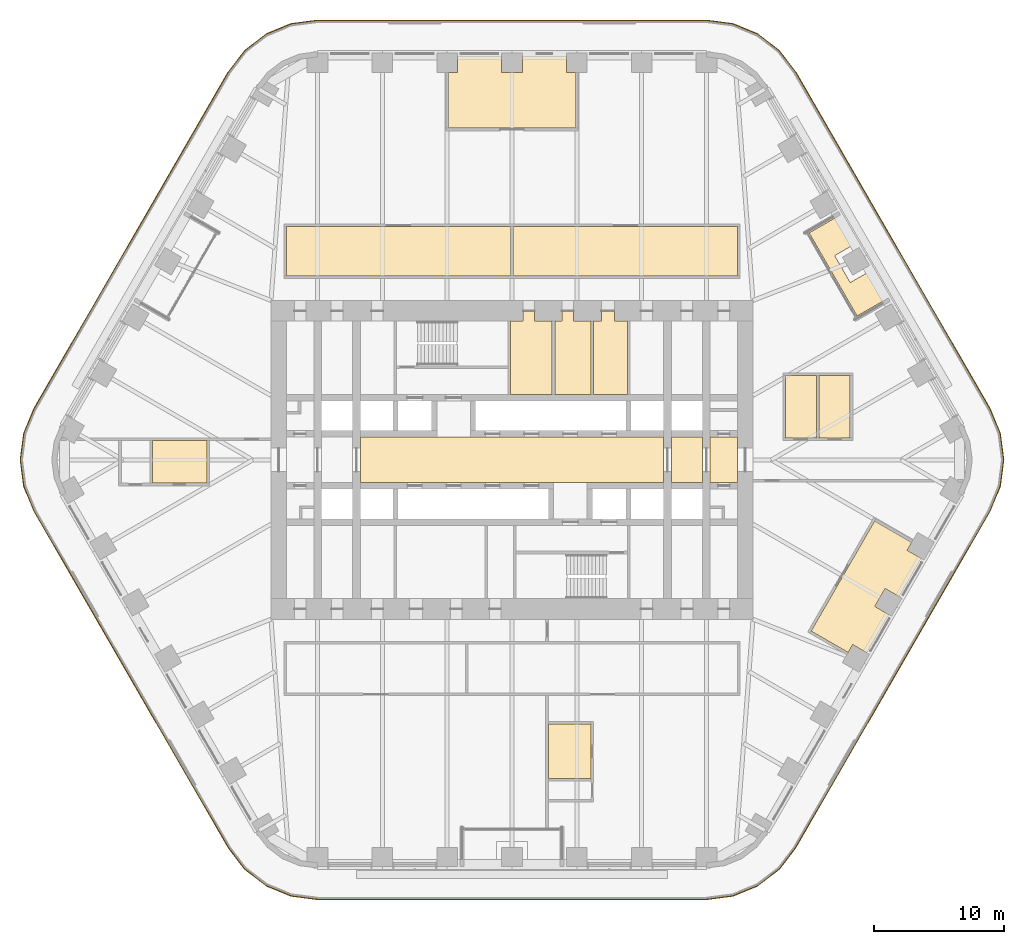
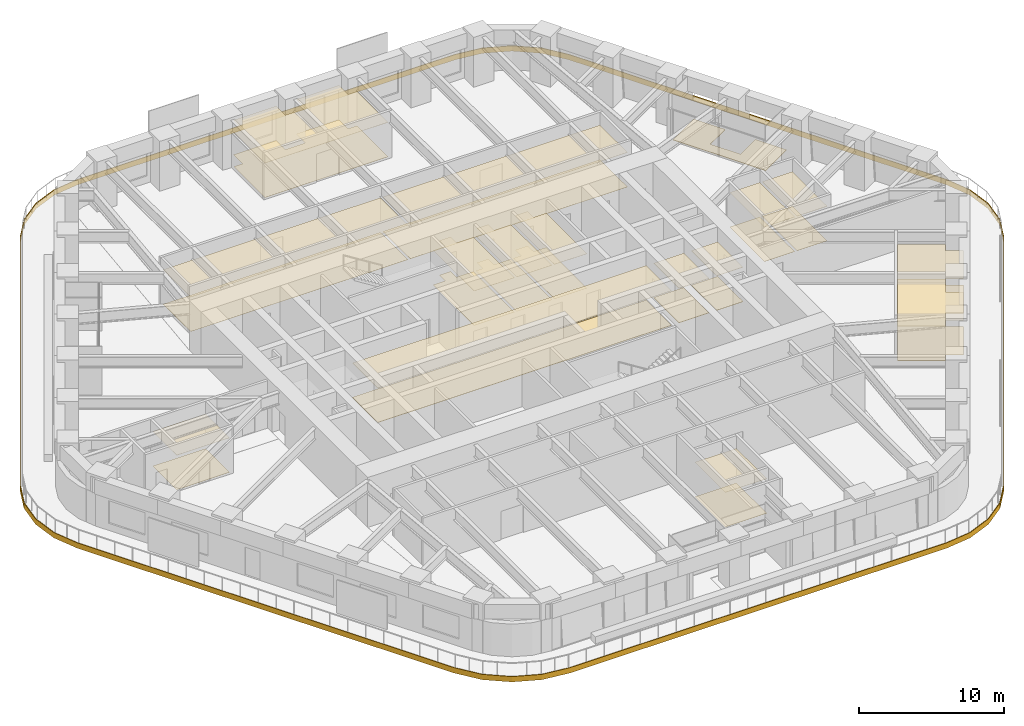
# One storey, part 23 of 24: 16 coverings.
"""IFC4 building model written with IfcOpenShell, lengths in metres."""

from ifc_helpers import new_model, si_unit, direction, frame, origin, place, context, subcontext, project, spatial, polyline, outline, extrude, material, layer, layer_set, type_object, element, save


model = new_model("IFC4")

# Units and contexts
model_context = context("Model", 3, precision=1e-05, world=origin(), true_north=direction((0.0, 1.0)))
body_context = subcontext(model_context, "Body", "Model", "MODEL_VIEW")
ifc_project = project(units=[si_unit("LENGTHUNIT", "METRE"), si_unit("AREAUNIT", "SQUARE_METRE"), si_unit("VOLUMEUNIT", "CUBIC_METRE"), si_unit("PLANEANGLEUNIT", "RADIAN"), si_unit("MASSUNIT", "GRAM", prefix="KILO")], contexts=[model_context])

# Site, building, storey
site_placement = place(None, origin())
site = spatial("IfcSite", under=ifc_project, at=site_placement, CompositionType="ELEMENT")
building_placement = place(site_placement, origin())
building = spatial("IfcBuilding", under=site, at=building_placement, Name="Tarfa Lantern Tower", CompositionType="ELEMENT")
storey_placement = place(building_placement, frame((0.0, 0.0, 153.10009765625)))
storey = spatial("IfcBuildingStorey", under=building, at=storey_placement, Name="L34", CompositionType="ELEMENT", Elevation=153.10009765625)

# Coverings
ifc_material_1 = material(Name="Mineral fibre acoustic tile on suspension grid", Category="finish")
ifc_layer_1 = layer(ifc_material_1, 0.02001953125)
ifc_layer_set_1 = layer_set([ifc_layer_1], Name="CL1 ACOUSTIC TILE CEILING 20")
covering_type_1 = type_object("IfcCoveringType", Name="CL1 ACOUSTIC TILE CEILING 20", PredefinedType="CEILING", material=ifc_layer_set_1)
covering_1_placement = place(storey_placement, frame((0.0, 0.0, 2.89990234375)))
element("IfcCovering", 1, at=covering_1_placement, inside=storey, type_object=covering_type_1, Name="Ceiling L34 CL1", PredefinedType="CEILING", context=body_context, shape_type="SweptSolid", body=[
    extrude(outline(polyline([(-17.39990234375, 18.0), (-0.10009765625, 18.0), (-0.10009765625, 14.199951171875), (-17.39990234375, 14.199951171875), (-17.39990234375, 18.0)])), origin(), (0.0, 0.0, 1.0), 0.02001953125),
    extrude(outline(polyline([(0.10009765625, 18.0), (17.39990234375, 18.0), (17.39990234375, 14.199951171875), (0.10009765625, 14.199951171875), (0.10009765625, 18.0)])), origin(), (0.0, 0.0, 1.0), 0.02001953125),
    extrude(outline(polyline([(4.90380859375, 25.60009765625), (-4.90380859375, 25.60009765625), (-4.90380859375, 29.89990234375), (-4.20361328125, 29.89990234375), (-4.20361328125, 31.14990234375), (-0.800048828125, 31.14990234375), (-0.800048828125, 29.89990234375), (0.800048828125, 29.89990234375), (0.800048828125, 31.14990234375), (4.20361328125, 31.14990234375), (4.20361328125, 29.89990234375), (4.90380859375, 29.89990234375), (4.90380859375, 25.60009765625)])), origin(), (0.0, 0.0, 1.0), 0.02001953125),
    extrude(outline(polyline([(27.989990234375, -4.719970703125), (30.847900390625, -6.369873046875), (30.497802734375, -6.97607421875), (31.580322265625, -7.60107421875), (29.878662109375, -10.548828125), (28.7958984375, -9.923828125), (27.99609375, -11.3095703125), (29.07861328125, -11.9345703125), (27.376708984375, -14.882080078125), (26.294189453125, -14.257080078125), (25.944091796875, -14.86328125), (23.086181640625, -13.21337890625), (27.989990234375, -4.719970703125)])), origin(), (0.0, 0.0, 1.0), 0.02001953125),
    extrude(outline(polyline([(21.10009765625, 6.5), (23.5, 6.5), (23.5, 1.699951171875), (21.10009765625, 1.699951171875), (21.10009765625, 6.5)])), origin(), (0.0, 0.0, 1.0), 0.02001953125),
    extrude(outline(polyline([(23.699951171875, 6.5), (26.10009765625, 6.5), (26.10009765625, 1.699951171875), (23.699951171875, 1.699951171875), (23.699951171875, 6.5)])), origin(), (0.0, 0.0, 1.0), 0.02001953125),
    extrude(outline(polyline([(-27.7509765625, -1.800048828125), (-27.7509765625, 1.5), (-23.551025390625, 1.5), (-23.551025390625, -1.800048828125), (-27.7509765625, -1.800048828125)])), origin(), (0.0, 0.0, 1.0), 0.02001953125),
    extrude(outline(polyline([(6.10009765625, -24.60009765625), (2.800048828125, -24.60009765625), (2.800048828125, -20.39990234375), (6.10009765625, -20.39990234375), (6.10009765625, -24.60009765625)])), origin(), (0.0, 0.0, 1.0), 0.02001953125),
])
ifc_material_2 = material(Name="Moisture-resistant plasterboard", Category="finish")
ifc_layer_2 = layer(ifc_material_2, 0.014892578125)
ifc_layer_set_2 = layer_set([ifc_layer_2], Name="CL2 MOISTURE-RESISTANT PLASTERBOARD CEILING 15")
covering_type_2 = type_object("IfcCoveringType", Name="CL2 MOISTURE-RESISTANT PLASTERBOARD CEILING 15", PredefinedType="CEILING", material=ifc_layer_set_2)
covering_2_placement = place(storey_placement, frame((0.0, 0.0, 2.89990234375)))
element("IfcCovering", 2, at=covering_2_placement, inside=storey, type_object=covering_type_2, Name="Ceiling L34-09", PredefinedType="CEILING", context=body_context, shape_type="SweptSolid", body=[
    extrude(outline(polyline([(0.85009765625, 10.699951171875), (-0.10009765625, 10.699951171875), (-0.10009765625, 5.050048828125), (3.10009765625, 5.050048828125), (3.10009765625, 10.699951171875), (1.75, 10.699951171875), (1.75, 11.5), (0.85009765625, 11.5), (0.85009765625, 10.699951171875)])), origin(), (0.0, 0.0, 1.0), 0.014892578125),
])
covering_3_placement = place(storey_placement, frame((0.0, 0.0, 2.89990234375)))
element("IfcCovering", 3, at=covering_3_placement, inside=storey, type_object=covering_type_2, Name="Ceiling L34-10", PredefinedType="CEILING", context=body_context, shape_type="SweptSolid", body=[
    extrude(outline(polyline([(3.300048828125, 5.050048828125), (6.10009765625, 5.050048828125), (6.10009765625, 10.699951171875), (4.75, 10.699951171875), (4.75, 11.5), (3.85009765625, 11.5), (3.85009765625, 10.699951171875), (3.300048828125, 10.699951171875), (3.300048828125, 5.050048828125)])), origin(), (0.0, 0.0, 1.0), 0.014892578125),
])
covering_4_placement = place(storey_placement, frame((0.0, 0.0, 2.89990234375)))
element("IfcCovering", 4, at=covering_4_placement, inside=storey, type_object=covering_type_2, Name="Ceiling L34-11", PredefinedType="CEILING", context=body_context, shape_type="SweptSolid", body=[
    extrude(outline(polyline([(6.300048828125, 5.050048828125), (8.89990234375, 5.050048828125), (8.89990234375, 10.699951171875), (7.89990234375, 10.699951171875), (7.89990234375, 11.5), (6.89990234375, 11.5), (6.89990234375, 10.699951171875), (6.300048828125, 10.699951171875), (6.300048828125, 5.050048828125)])), origin(), (0.0, 0.0, 1.0), 0.014892578125),
])
ifc_material_3 = material(Name="Powder-coated aluminium panel", Category="aluminium")
ifc_layer_3 = layer(ifc_material_3, 0.030029296875)
ifc_layer_set_3 = layer_set([ifc_layer_3], Name="CL3 METAL PANEL CEILING 30")
covering_type_3 = type_object("IfcCoveringType", Name="CL3 METAL PANEL CEILING 30", PredefinedType="CEILING", material=ifc_layer_set_3)
covering_5_placement = place(storey_placement, frame((0.0, 0.0, 2.89990234375)))
element("IfcCovering", 5, at=covering_5_placement, inside=storey, type_object=covering_type_3, Name="Ceiling L34-03", PredefinedType="CEILING", context=body_context, shape_type="SweptSolid", body=[
    extrude(outline(polyline([(-11.699951171875, -1.75), (11.699951171875, -1.75), (11.699951171875, 1.75), (-11.699951171875, 1.75), (-11.699951171875, -1.75)])), origin(), (0.0, 0.0, 1.0), 0.030029296875),
])
covering_6_placement = place(storey_placement, frame((0.0, 0.0, 2.89990234375)))
element("IfcCovering", 6, at=covering_6_placement, inside=storey, type_object=covering_type_3, Name="Ceiling L34-04", PredefinedType="CEILING", context=body_context, shape_type="SweptSolid", body=[
    extrude(outline(polyline([(12.300048828125, -1.75), (14.699951171875, -1.75), (14.699951171875, 1.75), (12.300048828125, 1.75), (12.300048828125, -1.75)])), origin(), (0.0, 0.0, 1.0), 0.030029296875),
])
covering_7_placement = place(storey_placement, frame((0.0, 0.0, 2.89990234375)))
element("IfcCovering", 7, at=covering_7_placement, inside=storey, type_object=covering_type_3, Name="Ceiling L34-05", PredefinedType="CEILING", context=body_context, shape_type="SweptSolid", body=[
    extrude(outline(polyline([(15.300048828125, -1.75), (17.39990234375, -1.75), (17.39990234375, 1.75), (15.300048828125, 1.75), (15.300048828125, -1.75)])), origin(), (0.0, 0.0, 1.0), 0.030029296875),
])
ifc_material_4 = material(Name="Nylon carpet tile", Category="finish")
ifc_layer_4 = layer(ifc_material_4, 0.010009765625)
ifc_layer_set_4 = layer_set([ifc_layer_4], Name="FL1 CARPET TILE 10")
covering_type_4 = type_object("IfcCoveringType", Name="FL1 CARPET TILE 10", PredefinedType="FLOORING", material=ifc_layer_set_4)
covering_8_placement = place(storey_placement, origin())
element("IfcCovering", 8, at=covering_8_placement, inside=storey, type_object=covering_type_4, Name="Floor finish L34 FL1", PredefinedType="FLOORING", context=body_context, shape_type="SweptSolid", body=[
    extrude(outline(polyline([(-17.39990234375, 18.0), (-0.10009765625, 18.0), (-0.10009765625, 14.199951171875), (-17.39990234375, 14.199951171875), (-17.39990234375, 18.0)])), origin(), (0.0, 0.0, 1.0), 0.010009765625),
    extrude(outline(polyline([(0.10009765625, 18.0), (17.39990234375, 18.0), (17.39990234375, 14.199951171875), (0.10009765625, 14.199951171875), (0.10009765625, 18.0)])), origin(), (0.0, 0.0, 1.0), 0.010009765625),
    extrude(outline(polyline([(4.90380859375, 25.60009765625), (-4.90380859375, 25.60009765625), (-4.90380859375, 29.89990234375), (-4.20361328125, 29.89990234375), (-4.20361328125, 31.14990234375), (-0.800048828125, 31.14990234375), (-0.800048828125, 29.89990234375), (0.800048828125, 29.89990234375), (0.800048828125, 31.14990234375), (4.20361328125, 31.14990234375), (4.20361328125, 29.89990234375), (4.90380859375, 29.89990234375), (4.90380859375, 25.60009765625)])), origin(), (0.0, 0.0, 1.0), 0.010009765625),
    extrude(outline(polyline([(27.989990234375, -4.719970703125), (30.847900390625, -6.369873046875), (30.497802734375, -6.97607421875), (31.580322265625, -7.60107421875), (29.878662109375, -10.548828125), (28.7958984375, -9.923828125), (27.99609375, -11.3095703125), (29.07861328125, -11.9345703125), (27.376708984375, -14.882080078125), (26.294189453125, -14.257080078125), (25.944091796875, -14.86328125), (23.086181640625, -13.21337890625), (27.989990234375, -4.719970703125)])), origin(), (0.0, 0.0, 1.0), 0.010009765625),
    extrude(outline(polyline([(21.10009765625, 6.5), (23.5, 6.5), (23.5, 1.699951171875), (21.10009765625, 1.699951171875), (21.10009765625, 6.5)])), origin(), (0.0, 0.0, 1.0), 0.010009765625),
    extrude(outline(polyline([(23.699951171875, 6.5), (26.10009765625, 6.5), (26.10009765625, 1.699951171875), (23.699951171875, 1.699951171875), (23.699951171875, 6.5)])), origin(), (0.0, 0.0, 1.0), 0.010009765625),
    extrude(outline(polyline([(-27.7509765625, -1.800048828125), (-27.7509765625, 1.5), (-23.551025390625, 1.5), (-23.551025390625, -1.800048828125), (-27.7509765625, -1.800048828125)])), origin(), (0.0, 0.0, 1.0), 0.010009765625),
    extrude(outline(polyline([(6.10009765625, -24.60009765625), (2.800048828125, -24.60009765625), (2.800048828125, -20.39990234375), (6.10009765625, -20.39990234375), (6.10009765625, -24.60009765625)])), origin(), (0.0, 0.0, 1.0), 0.010009765625),
])
ifc_material_5 = material(Name="Honed limestone flooring", Category="masonry")
ifc_layer_5 = layer(ifc_material_5, 0.030029296875)
ifc_layer_set_5 = layer_set([ifc_layer_5], Name="FL2 STONE FLOORING 30")
covering_type_5 = type_object("IfcCoveringType", Name="FL2 STONE FLOORING 30", PredefinedType="FLOORING", material=ifc_layer_set_5)
covering_9_placement = place(storey_placement, origin())
element("IfcCovering", 9, at=covering_9_placement, inside=storey, type_object=covering_type_5, Name="Floor finish L34-03", PredefinedType="FLOORING", context=body_context, shape_type="SweptSolid", body=[
    extrude(outline(polyline([(-11.699951171875, -1.75), (11.699951171875, -1.75), (11.699951171875, 1.75), (-11.699951171875, 1.75), (-11.699951171875, -1.75)])), origin(), (0.0, 0.0, 1.0), 0.02978515625),
])
covering_10_placement = place(storey_placement, origin())
element("IfcCovering", 10, at=covering_10_placement, inside=storey, type_object=covering_type_5, Name="Floor finish L34-04", PredefinedType="FLOORING", context=body_context, shape_type="SweptSolid", body=[
    extrude(outline(polyline([(12.300048828125, -1.75), (14.699951171875, -1.75), (14.699951171875, 1.75), (12.300048828125, 1.75), (12.300048828125, -1.75)])), origin(), (0.0, 0.0, 1.0), 0.02978515625),
])
covering_11_placement = place(storey_placement, origin())
element("IfcCovering", 11, at=covering_11_placement, inside=storey, type_object=covering_type_5, Name="Floor finish L34-05", PredefinedType="FLOORING", context=body_context, shape_type="SweptSolid", body=[
    extrude(outline(polyline([(15.300048828125, -1.75), (17.39990234375, -1.75), (17.39990234375, 1.75), (15.300048828125, 1.75), (15.300048828125, -1.75)])), origin(), (0.0, 0.0, 1.0), 0.02978515625),
])
ifc_material_6 = material(Name="Porcelain floor tile", Category="finish")
ifc_layer_6 = layer(ifc_material_6, 0.011962890625)
ifc_layer_set_6 = layer_set([ifc_layer_6], Name="FL3 CERAMIC TILE 12")
covering_type_6 = type_object("IfcCoveringType", Name="FL3 CERAMIC TILE 12", PredefinedType="FLOORING", material=ifc_layer_set_6)
covering_12_placement = place(storey_placement, origin())
element("IfcCovering", 12, at=covering_12_placement, inside=storey, type_object=covering_type_6, Name="Floor finish L34-09", PredefinedType="FLOORING", context=body_context, shape_type="SweptSolid", body=[
    extrude(outline(polyline([(0.85009765625, 10.699951171875), (-0.10009765625, 10.699951171875), (-0.10009765625, 5.050048828125), (3.10009765625, 5.050048828125), (3.10009765625, 10.699951171875), (1.75, 10.699951171875), (1.75, 11.5), (0.85009765625, 11.5), (0.85009765625, 10.699951171875)])), origin(), (0.0, 0.0, 1.0), 0.011962890625),
])
covering_13_placement = place(storey_placement, origin())
element("IfcCovering", 13, at=covering_13_placement, inside=storey, type_object=covering_type_6, Name="Floor finish L34-10", PredefinedType="FLOORING", context=body_context, shape_type="SweptSolid", body=[
    extrude(outline(polyline([(3.300048828125, 5.050048828125), (6.10009765625, 5.050048828125), (6.10009765625, 10.699951171875), (4.75, 10.699951171875), (4.75, 11.5), (3.85009765625, 11.5), (3.85009765625, 10.699951171875), (3.300048828125, 10.699951171875), (3.300048828125, 5.050048828125)])), origin(), (0.0, 0.0, 1.0), 0.011962890625),
])
covering_14_placement = place(storey_placement, origin())
element("IfcCovering", 14, at=covering_14_placement, inside=storey, type_object=covering_type_6, Name="Floor finish L34-11", PredefinedType="FLOORING", context=body_context, shape_type="SweptSolid", body=[
    extrude(outline(polyline([(6.300048828125, 5.050048828125), (8.89990234375, 5.050048828125), (8.89990234375, 10.699951171875), (7.89990234375, 10.699951171875), (7.89990234375, 11.5), (6.89990234375, 11.5), (6.89990234375, 10.699951171875), (6.300048828125, 10.699951171875), (6.300048828125, 5.050048828125)])), origin(), (0.0, 0.0, 1.0), 0.011962890625),
])
ifc_material_7 = material(Name="Porcelain pavers on pedestals", Category="ceramic")
ifc_layer_7 = layer(ifc_material_7, 0.0400390625)
ifc_layer_set_7 = layer_set([ifc_layer_7], Name="LP1 LOGGIA PAVING 40")
covering_type_7 = type_object("IfcCoveringType", Name="LP1 LOGGIA PAVING 40", PredefinedType="FLOORING", material=ifc_layer_set_7)
covering_15_placement = place(storey_placement, origin())
element("IfcCovering", 15, at=covering_15_placement, inside=storey, type_object=covering_type_7, Name="Loggia paving NE", PredefinedType="FLOORING", context=body_context, shape_type="SweptSolid", body=[
    extrude(outline(polyline([(29.131591796875, 12.54248046875), (26.637451171875, 11.1025390625), (22.933837890625, 17.517578125), (25.427978515625, 18.95751953125), (26.6796875, 16.789306640625), (24.904541015625, 15.76416015625), (26.1044921875, 13.685791015625), (27.8798828125, 14.710693359375), (29.131591796875, 12.54248046875)])), origin(), (0.0, 0.0, 1.0), 0.039794921875),
])
ifc_material_8 = material(Name="Limestone cladding on brackets", Category="masonry")
ifc_layer_8 = layer(ifc_material_8, 0.050048828125)
ifc_layer_set_8 = layer_set([ifc_layer_8], Name="SB1 STONE BAND CLADDING 50")
covering_type_8 = type_object("IfcCoveringType", Name="SB1 STONE BAND CLADDING 50", PredefinedType="CLADDING", material=ifc_layer_set_8)
covering_16_placement = place(storey_placement, frame((0.0, 0.0, -0.400146484375)))
element("IfcCovering", 16, at=covering_16_placement, inside=storey, type_object=covering_type_8, Name="Stone band", PredefinedType="CLADDING", context=body_context, shape_type="SweptSolid", body=[
    extrude(outline(polyline([(36.9072265625, 3.97509765625), (21.89599609375, 29.97509765625), (20.632568359375, 31.62158203125), (18.986083984375, 32.885009765625), (17.068603515625, 33.67919921875), (15.010986328125, 33.949951171875), (-15.010986328125, 33.949951171875), (-17.068603515625, 33.67919921875), (-18.986083984375, 32.885009765625), (-20.632568359375, 31.62158203125), (-21.89599609375, 29.97509765625), (-36.9072265625, 3.97509765625), (-37.701416015625, 2.0576171875), (-37.97216796875, 0.0), (-37.701416015625, -2.0576171875), (-36.9072265625, -3.97509765625), (-21.89599609375, -29.97509765625), (-20.632568359375, -31.62158203125), (-18.986083984375, -32.885009765625), (-17.068603515625, -33.67919921875), (-15.010986328125, -33.949951171875), (15.010986328125, -33.949951171875), (17.068603515625, -33.67919921875), (18.986083984375, -32.885009765625), (20.632568359375, -31.62158203125), (21.89599609375, -29.97509765625), (36.9072265625, -3.97509765625), (37.701416015625, -2.0576171875), (37.97216796875, 0.0), (37.701416015625, 2.0576171875), (36.9072265625, 3.97509765625)]), holes=[polyline([(36.86376953125, 3.949951171875), (21.852783203125, 29.949951171875), (20.59716796875, 31.586181640625), (18.961181640625, 32.841552734375), (17.0556640625, 33.630859375), (15.010986328125, 33.89990234375), (-15.010986328125, 33.89990234375), (-17.0556640625, 33.630859375), (-18.961181640625, 32.841552734375), (-20.59716796875, 31.586181640625), (-21.852783203125, 29.949951171875), (-36.86376953125, 3.949951171875), (-37.653076171875, 2.044677734375), (-37.922119140625, 0.0), (-37.653076171875, -2.044677734375), (-36.86376953125, -3.949951171875), (-21.852783203125, -29.949951171875), (-20.59716796875, -31.586181640625), (-18.961181640625, -32.841552734375), (-17.0556640625, -33.630859375), (-15.010986328125, -33.89990234375), (15.010986328125, -33.89990234375), (17.0556640625, -33.630859375), (18.961181640625, -32.841552734375), (20.59716796875, -31.586181640625), (21.852783203125, -29.949951171875), (36.86376953125, -3.949951171875), (37.653076171875, -2.044677734375), (37.922119140625, 0.0), (37.653076171875, 2.044677734375), (36.86376953125, 3.949951171875)])]), origin(), (0.0, 0.0, 1.0), 0.449951171875),
])

save(model, "model.ifc")
